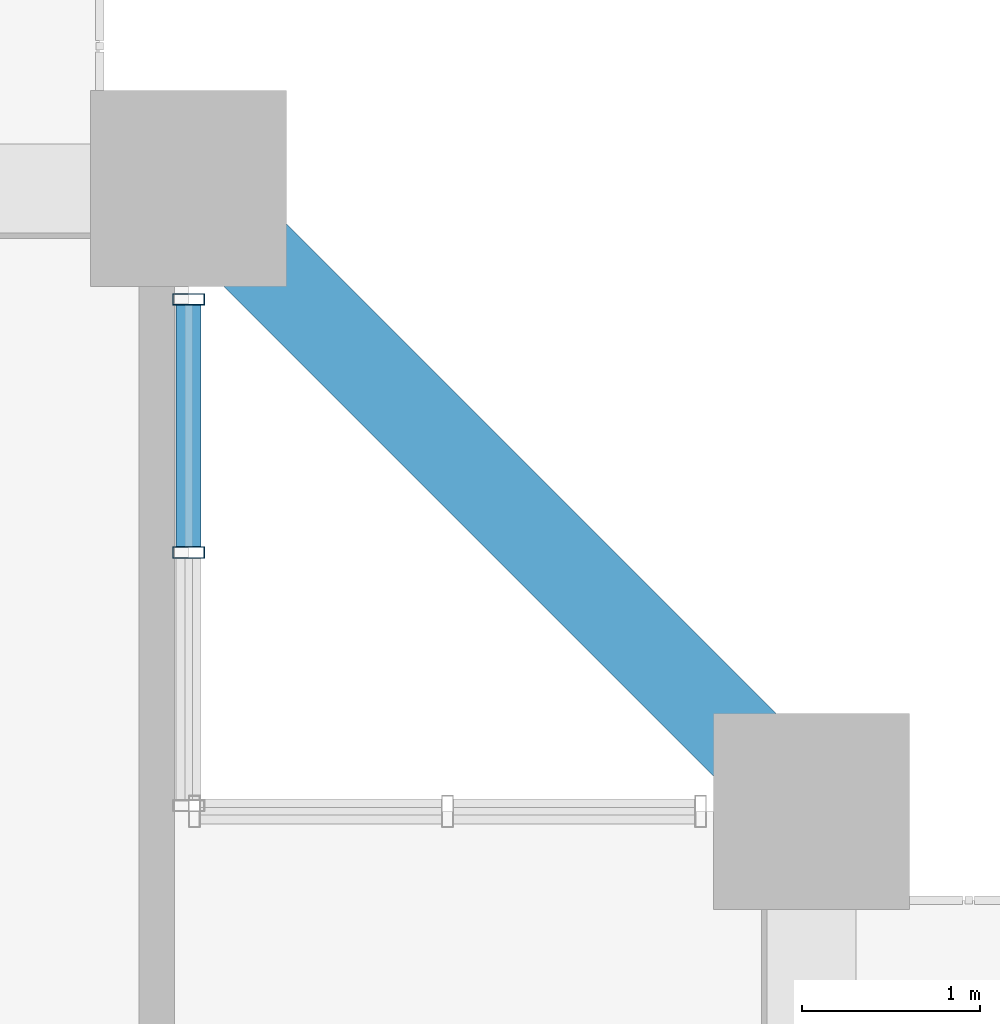
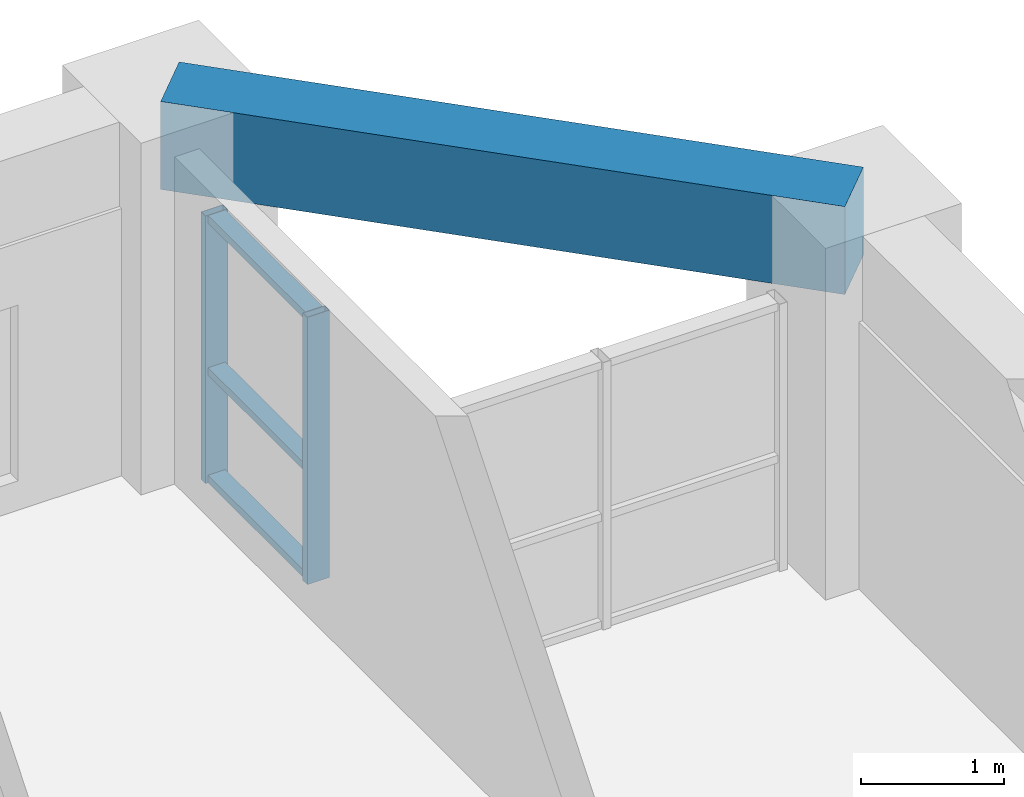
# One storey, part 12 of 27: 5 members, 1 beam, 1 element without a shape of its own.
"""IFC4 building model written with IfcOpenShell, lengths in metres."""

from ifc_helpers import new_model, si_unit, direction, frame, origin, origin_2d, place, context, subcontext, project, spatial, rectangle, hollow_rectangle, extrude, source, transform, mapped, material, layer, layer_set, material_profile, profile_set, type_object, element, aggregate, save


model = new_model("IFC4")

# Units and contexts
model_context = context("Model", 3, precision=1e-05, world=origin(), true_north=direction((0.0, 1.0)))
body_context = subcontext(model_context, "Body", "Model", "MODEL_VIEW")
ifc_project = project(units=[si_unit("LENGTHUNIT", "METRE"), si_unit("AREAUNIT", "SQUARE_METRE"), si_unit("VOLUMEUNIT", "CUBIC_METRE"), si_unit("PLANEANGLEUNIT", "RADIAN"), si_unit("MASSUNIT", "GRAM", prefix="KILO")], contexts=[model_context])

# Site, building, storey
site_placement = place(None, origin())
site = spatial("IfcSite", under=ifc_project, at=site_placement, CompositionType="ELEMENT")
building_placement = place(site_placement, origin())
building = spatial("IfcBuilding", under=site, at=building_placement, Name="Saelheon Loggia Tower", CompositionType="ELEMENT")
storey_placement = place(building_placement, frame((0.0, 0.0, 34.39990234375)))
storey = spatial("IfcBuildingStorey", under=building, at=storey_placement, Name="L10", CompositionType="ELEMENT", Elevation=34.39990234375)

# Beam
ifc_material_1 = material(Name="Concrete C45/55", Category="concrete")
ifc_material_profile_1 = material_profile(ifc_material_1, rectangle(XDim=0.5, YDim=0.75, at=origin_2d()), Name="RC-500x750")
ifc_profile_set_1 = profile_set([ifc_material_profile_1], Name="Concrete C45/55")
beam_type = type_object("IfcBeamType", Name="Beam_PerimGirder_RC500x750", PredefinedType="BEAM", material=ifc_profile_set_1)
shared_shape_1 = source(origin(), body_context, "Body", "SweptSolid", [
    extrude(rectangle(XDim=0.5, YDim=0.75, at=origin_2d()), origin(), (0.0, 0.0, 1.0), 4.94970703125),
])
beam_placement = place(storey_placement, frame((64.0, 47.5, 2.625), z_axis=(-0.707106781187, 0.707106781187, 0.0), x_axis=(-0.707106781187, -0.707106781187, 0.0)))
element("IfcBeam", 1, at=beam_placement, inside=storey, type_object=beam_type, Name="L10 Perimeter Frame Girder 08", PredefinedType="BEAM", context=body_context, shape_type="MappedRepresentation", body=[
    mapped(shared_shape_1, transform((0.0, 0.0, 0.0), scale=1.0)),
])

# Curtain wall, members
ifc_material_2 = material(Name="Thermal-Break Aluminium and Triple Low-E Glass", Category="aluminium")
ifc_layer = layer(ifc_material_2, 0.159912109375)
ifc_layer_set = layer_set([ifc_layer], Name="Thermal-Break Aluminium and Triple Low-E Glass")
curtain_wall_type = type_object("IfcCurtainWallType", Name="CW_TowerLoggiaLow", PredefinedType="NOTDEFINED", material=ifc_layer_set)
curtain_wall_placement = place(storey_placement, origin())
curtain_wall = element("IfcCurtainWall", 2, at=curtain_wall_placement, inside=storey, type_object=curtain_wall_type, Name="L10 Corner Notch Glazing NE1", PredefinedType="NOTDEFINED")
ifc_material_3 = material(Name="Anodised Aluminium 6063-T6", Category="aluminium")
ifc_material_profile_2 = material_profile(ifc_material_3, hollow_rectangle(XDim=0.06494140625, YDim=0.179931640625, WallThickness=0.00390625, at=origin_2d()), Name="RHS-180x65x4")
ifc_profile_set_2 = profile_set([ifc_material_profile_2], Name="Anodised Aluminium 6063-T6")
member_type_1 = type_object("IfcMemberType", Name="CW_TowerLoggiaLow_Mullion", PredefinedType="MULLION", material=ifc_profile_set_2)
shared_shape_2 = source(origin(), body_context, "Body", "SweptSolid", [
    extrude(hollow_rectangle(XDim=0.06494140625, YDim=0.179931640625, WallThickness=0.00390625, at=origin_2d()), origin(), (0.0, 0.0, 1.0), 2.280029296875),
])
member_1_placement = place(storey_placement, frame((60.5, 48.955078125, 0.0), z_axis=(0.0, 0.0, 1.0), x_axis=(0.0, 1.0, 0.0)))
member_1 = element("IfcMember", 3, at=member_1_placement, type_object=member_type_1, Name="CW3 mullion 2", PredefinedType="MULLION", context=body_context, shape_type="MappedRepresentation", body=[
    mapped(shared_shape_2, transform((0.0, 0.0, 0.0), scale=1.0)),
])
member_2_placement = place(storey_placement, frame((60.5, 50.37744140625, 0.0), z_axis=(0.0, 0.0, 1.0), x_axis=(0.0, 1.0, 0.0)))
member_2 = element("IfcMember", 4, at=member_2_placement, type_object=member_type_1, Name="CW3 mullion 3", PredefinedType="MULLION", context=body_context, shape_type="MappedRepresentation", body=[
    mapped(shared_shape_2, transform((0.0, 0.0, 0.0), scale=1.0)),
])
ifc_material_profile_3 = material_profile(ifc_material_3, hollow_rectangle(XDim=0.06494140625, YDim=0.139892578125, WallThickness=0.00390625, at=origin_2d()), Name="RHS-140x65x4")
ifc_profile_set_3 = profile_set([ifc_material_profile_3], Name="Anodised Aluminium 6063-T6")
member_type_2 = type_object("IfcMemberType", Name="CW_TowerLoggiaLow_Transom", PredefinedType="USERDEFINED", material=ifc_profile_set_3)
shared_shape_3 = source(origin(), body_context, "Body", "SweptSolid", [
    extrude(hollow_rectangle(XDim=0.06494140625, YDim=0.139892578125, WallThickness=0.00390625, at=origin_2d()), origin(), (0.0, 0.0, 1.0), 1.357421875),
])
member_3_placement = place(storey_placement, frame((60.5, 48.987548828125, 0.03271484375), z_axis=(0.0, 1.0, 0.0), x_axis=(0.0, 0.0, 1.0)))
member_3 = element("IfcMember", 5, at=member_3_placement, type_object=member_type_2, Name="CW3 transom 2.1", ObjectType="TRANSOM", PredefinedType="USERDEFINED", context=body_context, shape_type="MappedRepresentation", body=[
    mapped(shared_shape_3, transform((0.0, 0.0, 0.0), scale=1.0)),
])
member_4_placement = place(storey_placement, frame((60.5, 48.987548828125, 0.9501953125), z_axis=(0.0, 1.0, 0.0), x_axis=(0.0, 0.0, 1.0)))
member_4 = element("IfcMember", 6, at=member_4_placement, type_object=member_type_2, Name="CW3 transom 2.2", ObjectType="TRANSOM", PredefinedType="USERDEFINED", context=body_context, shape_type="MappedRepresentation", body=[
    mapped(shared_shape_3, transform((0.0, 0.0, 0.0), scale=1.0)),
])
member_5_placement = place(storey_placement, frame((60.5, 48.987548828125, 2.24755859375), z_axis=(0.0, 1.0, 0.0), x_axis=(0.0, 0.0, 1.0)))
member_5 = element("IfcMember", 7, at=member_5_placement, type_object=member_type_2, Name="CW3 transom 2.3", ObjectType="TRANSOM", PredefinedType="USERDEFINED", context=body_context, shape_type="MappedRepresentation", body=[
    mapped(shared_shape_3, transform((0.0, 0.0, 0.0), scale=1.0)),
])
aggregate(curtain_wall, [member_1, member_2, member_3, member_4, member_5])

save(model, "model.ifc")
